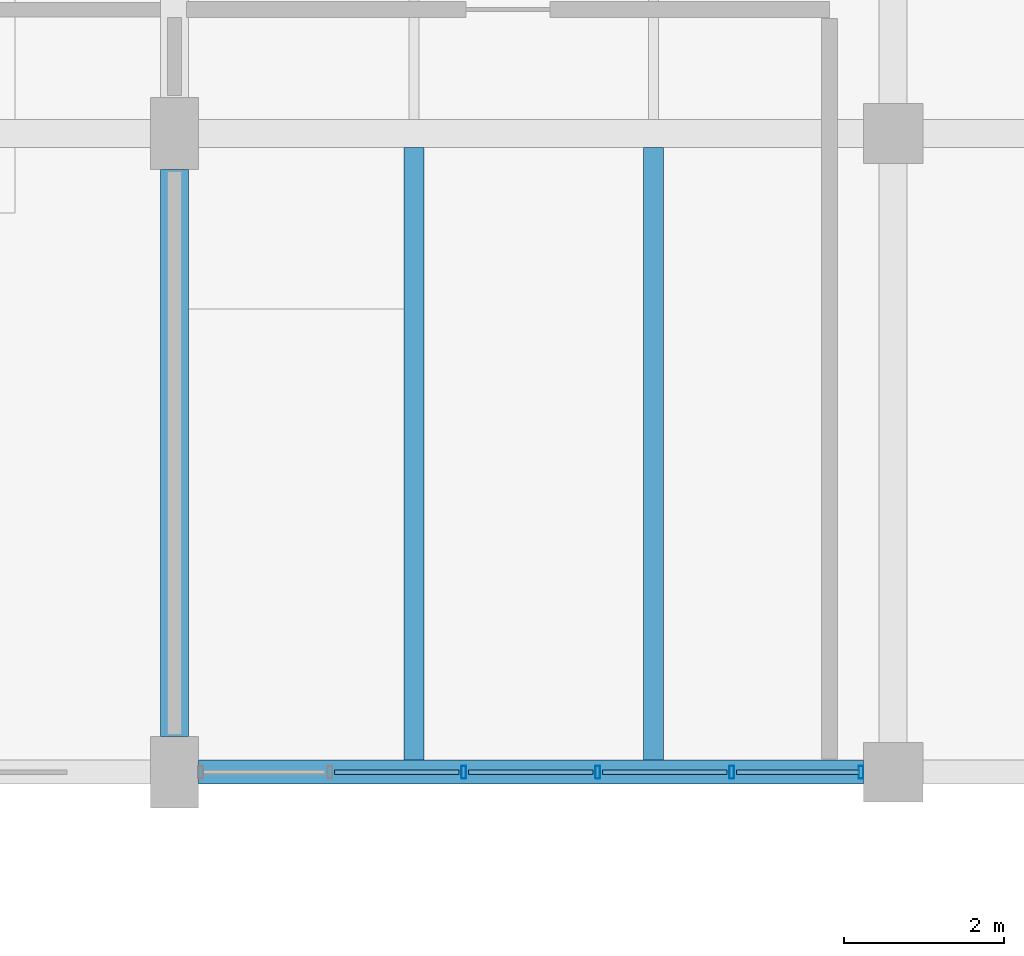
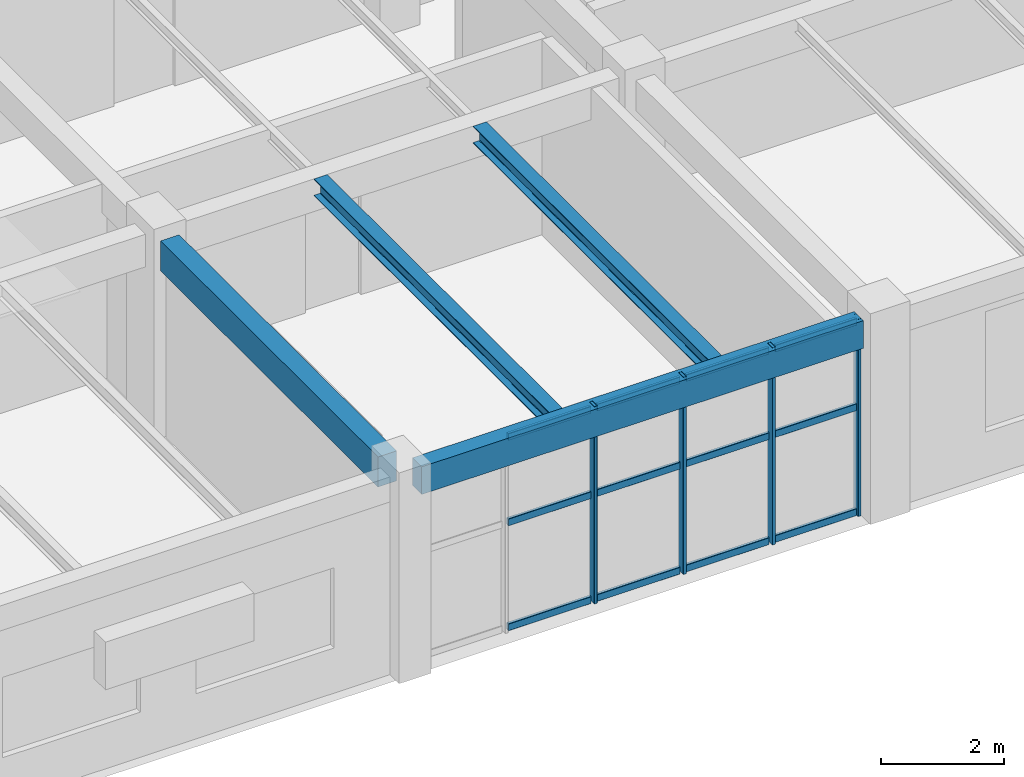
# One storey, part 67 of 128: 16 members, 4 beams, 1 element without a shape of its own.
"""IFC4 building model written with IfcOpenShell, lengths in metres."""

from ifc_helpers import new_model, si_unit, derived_unit, direction, frame, origin, origin_2d, place, context, subcontext, project, spatial, rectangle, hollow_rectangle, i_section, extrude, material, material_profile, profile_set, type_object, element, aggregate, save


model = new_model("IFC4")

# Units and contexts
model_context = context("Model", 3, precision=1e-05, world=origin(), true_north=direction((0.0, 1.0)))
body_context = subcontext(model_context, "Body", "Model", "MODEL_VIEW")
ifc_project = project(units=[si_unit("LENGTHUNIT", "METRE"), si_unit("AREAUNIT", "SQUARE_METRE"), si_unit("VOLUMEUNIT", "CUBIC_METRE"), si_unit("PLANEANGLEUNIT", "RADIAN"), si_unit("MASSUNIT", "GRAM", prefix="KILO"), derived_unit("THERMALTRANSMITTANCEUNIT", [(si_unit("MASSUNIT", "GRAM", prefix="KILO"), 1), (si_unit("TIMEUNIT", "SECOND"), -3), (si_unit("THERMODYNAMICTEMPERATUREUNIT", "KELVIN"), -1)])], contexts=[model_context])

# Site, building, storey
site_placement = place(None, origin())
site = spatial("IfcSite", under=ifc_project, at=site_placement, CompositionType="ELEMENT")
building_placement = place(site_placement, origin())
building = spatial("IfcBuilding", under=site, at=building_placement, Name="Zhenchuan Archway Interchange", CompositionType="ELEMENT")
storey_placement = place(building_placement, frame((0.0, 0.0, 14.39990234375)))
storey = spatial("IfcBuildingStorey", under=building, at=storey_placement, Name="L03", CompositionType="ELEMENT", Elevation=14.39990234375)

# Beam
ifc_material_1 = material(Name="Concrete C40", Category="concrete")
ifc_material_profile_1 = material_profile(ifc_material_1, rectangle(XDim=0.35009765625, YDim=0.60009765625, at=origin_2d()), Name="RC 350x600")
ifc_profile_set_1 = profile_set([ifc_material_profile_1], Name="Concrete C40")
beam_type_1 = type_object("IfcBeamType", Name="BM_RC_350x600", PredefinedType="BEAM", material=ifc_profile_set_1)
beam_1_placement = place(storey_placement, frame((144.0, 8.449951171875, 3.630126953125), z_axis=(0.0, 1.0, 0.0), x_axis=(-1.0, 0.0, 0.0)))
element("IfcBeam", 1, at=beam_1_placement, inside=storey, type_object=beam_type_1, Name="Beam 17:B-C (L03)", PredefinedType="BEAM", context=body_context, shape_type="SweptSolid", body=[
    extrude(rectangle(XDim=0.35009765625, YDim=0.60009765625, at=origin_2d()), origin(), (0.0, 0.0, 1.0), 7.10009765625),
])

# Curtain wall, members
ifc_material_2 = material(Name="Anodised Aluminium", Category="aluminium")
curtain_wall_type = type_object("IfcCurtainWallType", Name="CW_UNIT_1", PredefinedType="NOTDEFINED", material=ifc_material_2)
curtain_wall_placement = place(storey_placement, origin())
curtain_wall = element("IfcCurtainWall", 2, at=curtain_wall_placement, inside=storey, type_object=curtain_wall_type, Name="Unitised curtain wall CW:L03:184", PredefinedType="NOTDEFINED")
ifc_material_profile_2 = material_profile(ifc_material_2, hollow_rectangle(XDim=0.06005859375, YDim=0.159912109375, WallThickness=0.00390625, InnerFilletRadius=0.00390625, OuterFilletRadius=0.008056640625, at=origin_2d()), Name="ALU 160x60x4")
ifc_profile_set_2 = profile_set([ifc_material_profile_2], Name="Anodised Aluminium")
member_type_1 = type_object("IfcMemberType", Name="CW_MUL_150", PredefinedType="MULLION", material=ifc_profile_set_2)
member_1_placement = place(storey_placement, frame((152.596923828125, 8.0, 0.0), z_axis=(0.0, 0.0, 1.0), x_axis=(1.0, 0.0, 0.0)))
member_1 = element("IfcMember", 3, at=member_1_placement, type_object=member_type_1, Name="CW:L03:184 mullion 0", PredefinedType="MULLION", context=body_context, shape_type="SweptSolid", body=[
    extrude(hollow_rectangle(XDim=0.06005859375, YDim=0.159912109375, WallThickness=0.00390625, InnerFilletRadius=0.00390625, OuterFilletRadius=0.008056640625, at=origin_2d()), origin(), (0.0, 0.0, 1.0), 3.93017578125),
])
member_2_placement = place(storey_placement, frame((150.979248046875, 8.0, 0.0), z_axis=(0.0, 0.0, 1.0), x_axis=(1.0, 0.0, 0.0)))
member_2 = element("IfcMember", 4, at=member_2_placement, type_object=member_type_1, Name="CW:L03:184 mullion 1", PredefinedType="MULLION", context=body_context, shape_type="SweptSolid", body=[
    extrude(hollow_rectangle(XDim=0.06005859375, YDim=0.159912109375, WallThickness=0.00390625, InnerFilletRadius=0.00390625, OuterFilletRadius=0.008056640625, at=origin_2d()), origin(), (0.0, 0.0, 1.0), 3.93017578125),
])
member_3_placement = place(storey_placement, frame((149.301513671875, 8.0, 0.0), z_axis=(0.0, 0.0, 1.0), x_axis=(1.0, 0.0, 0.0)))
member_3 = element("IfcMember", 5, at=member_3_placement, type_object=member_type_1, Name="CW:L03:184 mullion 2", PredefinedType="MULLION", context=body_context, shape_type="SweptSolid", body=[
    extrude(hollow_rectangle(XDim=0.06005859375, YDim=0.159912109375, WallThickness=0.00390625, InnerFilletRadius=0.00390625, OuterFilletRadius=0.008056640625, at=origin_2d()), origin(), (0.0, 0.0, 1.0), 3.93017578125),
])
member_4_placement = place(storey_placement, frame((147.62353515625, 8.0, 0.0), z_axis=(0.0, 0.0, 1.0), x_axis=(1.0, 0.0, 0.0)))
member_4 = element("IfcMember", 6, at=member_4_placement, type_object=member_type_1, Name="CW:L03:184 mullion 3", PredefinedType="MULLION", context=body_context, shape_type="SweptSolid", body=[
    extrude(hollow_rectangle(XDim=0.06005859375, YDim=0.159912109375, WallThickness=0.00390625, InnerFilletRadius=0.00390625, OuterFilletRadius=0.008056640625, at=origin_2d()), origin(), (0.0, 0.0, 1.0), 3.93017578125),
])
ifc_material_profile_3 = material_profile(ifc_material_2, hollow_rectangle(XDim=0.06005859375, YDim=0.139892578125, WallThickness=0.00341796875, InnerFilletRadius=0.00341796875, OuterFilletRadius=0.007080078125, at=origin_2d()), Name="ALU 140x60x3.5")
ifc_profile_set_3 = profile_set([ifc_material_profile_3], Name="Anodised Aluminium")
member_type_2 = type_object("IfcMemberType", Name="CW_TRN_140", PredefinedType="USERDEFINED", material=ifc_profile_set_3)
member_5_placement = place(storey_placement, frame((152.576904296875, 8.0, 0.06005859375), z_axis=(-1.0, 0.0, 0.0), x_axis=(0.0, -1.0, 0.0)))
member_5 = element("IfcMember", 7, at=member_5_placement, type_object=member_type_2, Name="CW:L03:184 transom 0-1", ObjectType="TRANSOM", PredefinedType="USERDEFINED", context=body_context, shape_type="SweptSolid", body=[
    extrude(hollow_rectangle(XDim=0.06005859375, YDim=0.139892578125, WallThickness=0.00341796875, InnerFilletRadius=0.00341796875, OuterFilletRadius=0.007080078125, at=origin_2d()), origin(), (0.0, 0.0, 1.0), 1.53759765625),
])
member_6_placement = place(storey_placement, frame((152.576904296875, 8.0, 2.150634765625), z_axis=(-1.0, 0.0, 0.0), x_axis=(0.0, -1.0, 0.0)))
member_6 = element("IfcMember", 8, at=member_6_placement, type_object=member_type_2, Name="CW:L03:184 transom 0-2", ObjectType="TRANSOM", PredefinedType="USERDEFINED", context=body_context, shape_type="SweptSolid", body=[
    extrude(hollow_rectangle(XDim=0.06005859375, YDim=0.139892578125, WallThickness=0.00341796875, InnerFilletRadius=0.00341796875, OuterFilletRadius=0.007080078125, at=origin_2d()), origin(), (0.0, 0.0, 1.0), 1.53759765625),
])
member_7_placement = place(storey_placement, frame((152.576904296875, 8.0, 3.85009765625), z_axis=(-1.0, 0.0, 0.0), x_axis=(0.0, -1.0, 0.0)))
member_7 = element("IfcMember", 9, at=member_7_placement, type_object=member_type_2, Name="CW:L03:184 transom 0-3", ObjectType="TRANSOM", PredefinedType="USERDEFINED", context=body_context, shape_type="SweptSolid", body=[
    extrude(hollow_rectangle(XDim=0.06005859375, YDim=0.139892578125, WallThickness=0.00341796875, InnerFilletRadius=0.00341796875, OuterFilletRadius=0.007080078125, at=origin_2d()), origin(), (0.0, 0.0, 1.0), 1.53759765625),
])
member_8_placement = place(storey_placement, frame((150.919189453125, 8.0, 0.06005859375), z_axis=(-1.0, 0.0, 0.0), x_axis=(0.0, -1.0, 0.0)))
member_8 = element("IfcMember", 10, at=member_8_placement, type_object=member_type_2, Name="CW:L03:184 transom 1-1", ObjectType="TRANSOM", PredefinedType="USERDEFINED", context=body_context, shape_type="SweptSolid", body=[
    extrude(hollow_rectangle(XDim=0.06005859375, YDim=0.139892578125, WallThickness=0.00341796875, InnerFilletRadius=0.00341796875, OuterFilletRadius=0.007080078125, at=origin_2d()), origin(), (0.0, 0.0, 1.0), 1.557861328125),
])
member_9_placement = place(storey_placement, frame((150.919189453125, 8.0, 2.150634765625), z_axis=(-1.0, 0.0, 0.0), x_axis=(0.0, -1.0, 0.0)))
member_9 = element("IfcMember", 11, at=member_9_placement, type_object=member_type_2, Name="CW:L03:184 transom 1-2", ObjectType="TRANSOM", PredefinedType="USERDEFINED", context=body_context, shape_type="SweptSolid", body=[
    extrude(hollow_rectangle(XDim=0.06005859375, YDim=0.139892578125, WallThickness=0.00341796875, InnerFilletRadius=0.00341796875, OuterFilletRadius=0.007080078125, at=origin_2d()), origin(), (0.0, 0.0, 1.0), 1.557861328125),
])
member_10_placement = place(storey_placement, frame((150.919189453125, 8.0, 3.85009765625), z_axis=(-1.0, 0.0, 0.0), x_axis=(0.0, -1.0, 0.0)))
member_10 = element("IfcMember", 12, at=member_10_placement, type_object=member_type_2, Name="CW:L03:184 transom 1-3", ObjectType="TRANSOM", PredefinedType="USERDEFINED", context=body_context, shape_type="SweptSolid", body=[
    extrude(hollow_rectangle(XDim=0.06005859375, YDim=0.139892578125, WallThickness=0.00341796875, InnerFilletRadius=0.00341796875, OuterFilletRadius=0.007080078125, at=origin_2d()), origin(), (0.0, 0.0, 1.0), 1.557861328125),
])
member_11_placement = place(storey_placement, frame((149.241455078125, 8.0, 0.06005859375), z_axis=(-1.0, 0.0, 0.0), x_axis=(0.0, -1.0, 0.0)))
member_11 = element("IfcMember", 13, at=member_11_placement, type_object=member_type_2, Name="CW:L03:184 transom 2-1", ObjectType="TRANSOM", PredefinedType="USERDEFINED", context=body_context, shape_type="SweptSolid", body=[
    extrude(hollow_rectangle(XDim=0.06005859375, YDim=0.139892578125, WallThickness=0.00341796875, InnerFilletRadius=0.00341796875, OuterFilletRadius=0.007080078125, at=origin_2d()), origin(), (0.0, 0.0, 1.0), 1.557861328125),
])
member_12_placement = place(storey_placement, frame((149.241455078125, 8.0, 2.150634765625), z_axis=(-1.0, 0.0, 0.0), x_axis=(0.0, -1.0, 0.0)))
member_12 = element("IfcMember", 14, at=member_12_placement, type_object=member_type_2, Name="CW:L03:184 transom 2-2", ObjectType="TRANSOM", PredefinedType="USERDEFINED", context=body_context, shape_type="SweptSolid", body=[
    extrude(hollow_rectangle(XDim=0.06005859375, YDim=0.139892578125, WallThickness=0.00341796875, InnerFilletRadius=0.00341796875, OuterFilletRadius=0.007080078125, at=origin_2d()), origin(), (0.0, 0.0, 1.0), 1.557861328125),
])
member_13_placement = place(storey_placement, frame((149.241455078125, 8.0, 3.85009765625), z_axis=(-1.0, 0.0, 0.0), x_axis=(0.0, -1.0, 0.0)))
member_13 = element("IfcMember", 15, at=member_13_placement, type_object=member_type_2, Name="CW:L03:184 transom 2-3", ObjectType="TRANSOM", PredefinedType="USERDEFINED", context=body_context, shape_type="SweptSolid", body=[
    extrude(hollow_rectangle(XDim=0.06005859375, YDim=0.139892578125, WallThickness=0.00341796875, InnerFilletRadius=0.00341796875, OuterFilletRadius=0.007080078125, at=origin_2d()), origin(), (0.0, 0.0, 1.0), 1.557861328125),
])
member_14_placement = place(storey_placement, frame((147.563720703125, 8.0, 0.06005859375), z_axis=(-1.0, 0.0, 0.0), x_axis=(0.0, -1.0, 0.0)))
member_14 = element("IfcMember", 16, at=member_14_placement, type_object=member_type_2, Name="CW:L03:184 transom 3-1", ObjectType="TRANSOM", PredefinedType="USERDEFINED", context=body_context, shape_type="SweptSolid", body=[
    extrude(hollow_rectangle(XDim=0.06005859375, YDim=0.139892578125, WallThickness=0.00341796875, InnerFilletRadius=0.00341796875, OuterFilletRadius=0.007080078125, at=origin_2d()), origin(), (0.0, 0.0, 1.0), 1.557861328125),
])
member_15_placement = place(storey_placement, frame((147.563720703125, 8.0, 2.150634765625), z_axis=(-1.0, 0.0, 0.0), x_axis=(0.0, -1.0, 0.0)))
member_15 = element("IfcMember", 17, at=member_15_placement, type_object=member_type_2, Name="CW:L03:184 transom 3-2", ObjectType="TRANSOM", PredefinedType="USERDEFINED", context=body_context, shape_type="SweptSolid", body=[
    extrude(hollow_rectangle(XDim=0.06005859375, YDim=0.139892578125, WallThickness=0.00341796875, InnerFilletRadius=0.00341796875, OuterFilletRadius=0.007080078125, at=origin_2d()), origin(), (0.0, 0.0, 1.0), 1.557861328125),
])
member_16_placement = place(storey_placement, frame((147.563720703125, 8.0, 3.85009765625), z_axis=(-1.0, 0.0, 0.0), x_axis=(0.0, -1.0, 0.0)))
member_16 = element("IfcMember", 18, at=member_16_placement, type_object=member_type_2, Name="CW:L03:184 transom 3-3", ObjectType="TRANSOM", PredefinedType="USERDEFINED", context=body_context, shape_type="SweptSolid", body=[
    extrude(hollow_rectangle(XDim=0.06005859375, YDim=0.139892578125, WallThickness=0.00341796875, InnerFilletRadius=0.00341796875, OuterFilletRadius=0.007080078125, at=origin_2d()), origin(), (0.0, 0.0, 1.0), 1.557861328125),
])
aggregate(curtain_wall, [member_1, member_2, member_3, member_4, member_5, member_6, member_7, member_8, member_9, member_10, member_11, member_12, member_13, member_14, member_15, member_16])

# Beams
ifc_material_3 = material(Name="Steel Q355", Category="steel")
ifc_material_profile_4 = material_profile(ifc_material_3, i_section(OverallWidth=0.25, OverallDepth=0.340087890625, WebThickness=0.009033203125, FlangeThickness=0.013916015625, FilletRadius=0.01806640625, at=origin_2d()), Name="HM 340x250")
ifc_profile_set_4 = profile_set([ifc_material_profile_4], Name="Steel Q355")
beam_type_2 = type_object("IfcBeamType", Name="JST_STL_HM340", PredefinedType="JOIST", material=ifc_profile_set_4)
for number, where, z_axis, x_axis, name in (
    (19, (147.0, 8.14990234375, 3.760009765625), (0.0, 1.0, 0.0), (-1.0, 0.0, 0.0), "Secondary joist 17-18/B-C #1 (L03)"),
    (20, (150.0, 8.14990234375, 3.760009765625), (0.0, 1.0, 0.0), (-1.0, 0.0, 0.0), "Secondary joist 17-18/B-C #2 (L03)"),
):
    element("IfcBeam", number, at=place(storey_placement, frame(where, z_axis=z_axis, x_axis=x_axis)), inside=storey, type_object=beam_type_2, Name=name, PredefinedType="JOIST", context=body_context, shape_type="SweptSolid", body=[
        extrude(i_section(OverallWidth=0.25, OverallDepth=0.340087890625, WebThickness=0.009033203125, FlangeThickness=0.013916015625, FilletRadius=0.01806640625, at=origin_2d()), origin(), (0.0, 0.0, 1.0), 7.675048828125),
    ])
ifc_material_profile_5 = material_profile(ifc_material_1, rectangle(XDim=0.300048828125, YDim=0.550048828125, at=origin_2d()), Name="RC 300x550")
ifc_profile_set_5 = profile_set([ifc_material_profile_5], Name="Concrete C40")
beam_type_3 = type_object("IfcBeamType", Name="SP_RC_300x550", PredefinedType="SPANDREL", material=ifc_profile_set_5)
beam_2_placement = place(storey_placement, frame((144.300048828125, 8.0, 3.655029296875), z_axis=(1.0, 0.0, 0.0), x_axis=(0.0, 1.0, 0.0)))
element("IfcBeam", 21, at=beam_2_placement, inside=storey, type_object=beam_type_3, Name="Beam B:17-18 (L03)", PredefinedType="SPANDREL", context=body_context, shape_type="SweptSolid", body=[
    extrude(rectangle(XDim=0.300048828125, YDim=0.550048828125, at=origin_2d()), origin(), (0.0, 0.0, 1.0), 8.324951171875),
])

save(model, "model.ifc")
